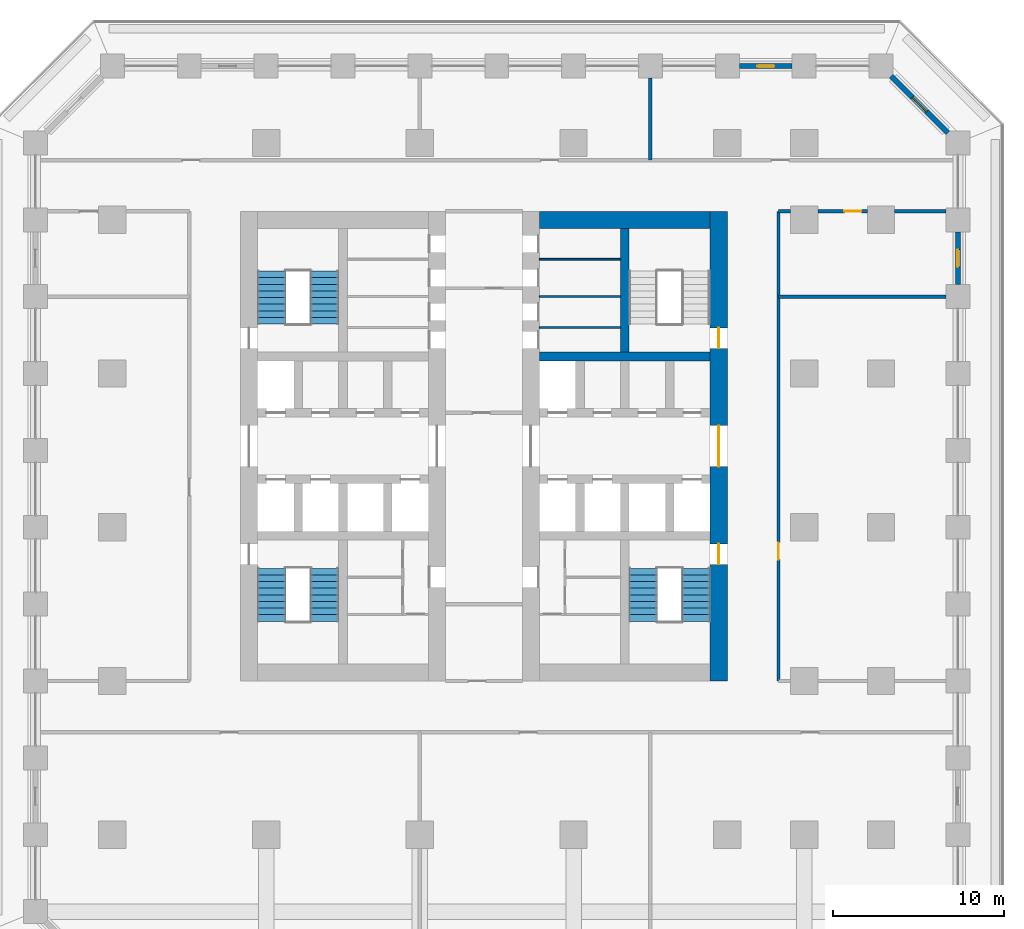
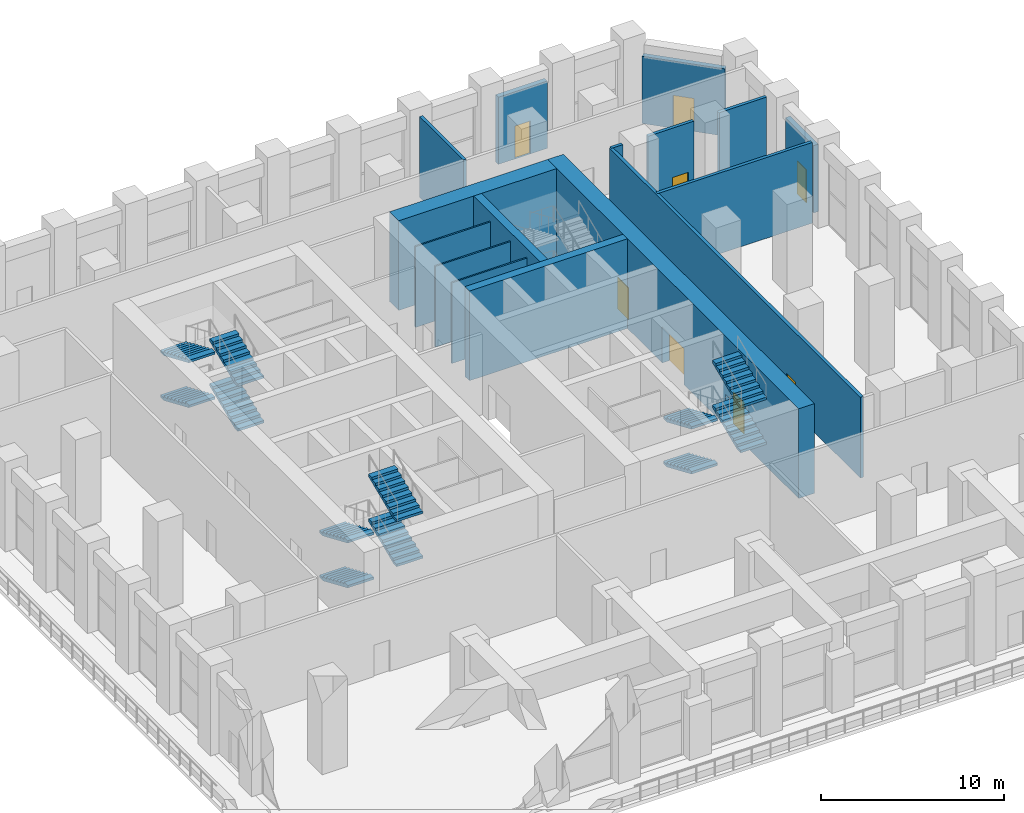
# One storey, part 14 of 19: 16 walls, 12 stair flights, 8 doors, 8 openings, 3 elements without a shape of their own.
"""IFC4 building model written with IfcOpenShell, lengths in metres."""

import ifcopenshell
import ifcopenshell.guid

model = None  # the IFC model being written
_history = None  # IfcOwnerHistory: only IFC2X3 demands one
_inside = {}  # id of a spatial element -> (the spatial element, [elements in it])
_under = {}  # id of a project, library or spatial element -> (it, [spatial elements below it])
_declared = {}  # id of a project -> (the project, [libraries it declares])
_typed = {}  # id of a type object -> (the type object, [elements of that type])
_made_of = {}  # id of a material, layer set ... -> (it, [elements and type objects made of it])


def new_model(schema):
    """Start an empty IFC model of exactly this schema.

    Asked for "IFC4X3", IfcOpenShell would pick the latest addendum, in which some entities
    have other attributes; the version numbers below select the first issue.
    IFC2X3 requires an IfcOwnerHistory on every rooted entity: one is made here for all.
    """
    global model, _history
    if schema == "IFC4X3":
        model = ifcopenshell.file(schema_version=(4, 3, 0, 0))
    else:
        model = ifcopenshell.file(schema=schema)
    _inside.clear()
    _under.clear()
    _declared.clear()
    _typed.clear()
    _made_of.clear()
    _history = None
    if model.schema == "IFC2X3":
        org = make("IfcOrganization", Name="unknown")
        user = make(
            "IfcPersonAndOrganization",
            ThePerson=make("IfcPerson", FamilyName="unknown"),
            TheOrganization=org,
        )
        app = make(
            "IfcApplication",
            ApplicationDeveloper=org,
            Version="unknown",
            ApplicationFullName="unknown",
            ApplicationIdentifier="unknown",
        )
        _history = make(
            "IfcOwnerHistory",
            OwningUser=user,
            OwningApplication=app,
            ChangeAction="ADDED",
            CreationDate=0,
        )
    return model


def make(cls, **values):
    """One entity of the class cls with the attributes given. An attribute that is None is left unset."""
    return model.create_entity(
        cls, **{name: value for name, value in values.items() if value is not None}
    )


def rooted(cls, **values):
    """An entity with a GlobalId (a new one), such as an element, a storey or a relation."""
    return make(cls, GlobalId=ifcopenshell.guid.new(), OwnerHistory=_history, **values)


def si_unit(unit_type, name, prefix=None):
    """IfcSIUnit, for example si_unit("LENGTHUNIT", "METRE", prefix="MILLI")."""
    return make("IfcSIUnit", UnitType=unit_type, Prefix=prefix, Name=name)


def assignment(units):
    """IfcUnitAssignment: the units of a project."""
    return None if units is None else make("IfcUnitAssignment", Units=units)


def point(xyz):
    """IfcCartesianPoint."""
    return None if xyz is None else make("IfcCartesianPoint", Coordinates=xyz)


def direction(xyz):
    """IfcDirection."""
    return None if xyz is None else make("IfcDirection", DirectionRatios=xyz)


def frame(location, z_axis=None, x_axis=None):
    """IfcAxis2Placement3D, a coordinate frame: its origin and axes. An axis left out is left unset."""
    return make(
        "IfcAxis2Placement3D",
        Location=point(location),
        Axis=direction(z_axis),
        RefDirection=direction(x_axis),
    )


def frame_2d(location, x_axis=None):
    """IfcAxis2Placement2D, a coordinate frame in the plane: its origin and x axis."""
    return make(
        "IfcAxis2Placement2D", Location=point(location), RefDirection=direction(x_axis)
    )


def origin():
    """The frame at (0, 0, 0) with its axes left unset."""
    return frame((0.0, 0.0, 0.0))


def place(relative_to, where):
    """IfcLocalPlacement: puts the frame where relative to a parent placement (None: the world)."""
    return make(
        "IfcLocalPlacement", PlacementRelTo=relative_to, RelativePlacement=where
    )


def context(
    kind, dimensions, precision=None, world=None, true_north=None, identifier=None
):
    """IfcGeometricRepresentationContext, for example the 3D "Model" context."""
    return make(
        "IfcGeometricRepresentationContext",
        ContextIdentifier=identifier,
        ContextType=kind,
        CoordinateSpaceDimension=dimensions,
        Precision=precision,
        WorldCoordinateSystem=world,
        TrueNorth=true_north,
    )


def subcontext(parent, identifier, kind, view, scale=None):
    """IfcGeometricRepresentationSubContext, for example "Body" below "Model"."""
    return make(
        "IfcGeometricRepresentationSubContext",
        ContextIdentifier=identifier,
        ContextType=kind,
        ParentContext=parent,
        TargetScale=scale,
        TargetView=view,
    )


def project(units=None, contexts=None):
    """IfcProject with its units and contexts."""
    return rooted(
        "IfcProject",
        Name="project",
        RepresentationContexts=contexts,
        UnitsInContext=assignment(units),
    )


def spatial(cls, under=None, at=None, **own):
    """A site, building, storey or space (cls), placed at a placement, below another one or the project."""
    s = rooted(cls, ObjectPlacement=at, **own)
    if under is not None:
        _under.setdefault(under.id(), (under, []))[1].append(s)
    return s


def polyline(points):
    """IfcPolyline through the points."""
    return make("IfcPolyline", Points=[point(p) for p in points])


def profile(cls, at=None, kind="AREA", **sizes):
    """A parametric profile (cls). Its sizes go by their IFC names, for example OverallWidth=200.0."""
    return make(cls, ProfileType=kind, Position=at, **sizes)


def rectangle(**sizes):
    """IfcRectangleProfileDef."""
    return profile("IfcRectangleProfileDef", **sizes)


def outline(outer, holes=None, kind="AREA"):
    """IfcArbitraryClosedProfileDef: a profile drawn as a closed curve; with holes, ...WithVoids."""
    if holes is None:
        return make("IfcArbitraryClosedProfileDef", ProfileType=kind, OuterCurve=outer)
    return make(
        "IfcArbitraryProfileDefWithVoids",
        ProfileType=kind,
        OuterCurve=outer,
        InnerCurves=holes,
    )


def extrude(swept, where, along, depth):
    """IfcExtrudedAreaSolid: the profile swept, set in the frame where, extruded along a direction by depth."""
    return make(
        "IfcExtrudedAreaSolid",
        SweptArea=swept,
        Position=where,
        ExtrudedDirection=direction(along),
        Depth=depth,
    )


def shape(context_of_items, identifier, shape_type, items):
    """IfcShapeRepresentation: the items that make up one representation, for example the "Body"."""
    return make(
        "IfcShapeRepresentation",
        ContextOfItems=context_of_items,
        RepresentationIdentifier=identifier,
        RepresentationType=shape_type,
        Items=items,
    )


def material(Name=None, Category=None):
    """IfcMaterial."""
    return make("IfcMaterial", Name=Name, Category=Category)


def layer(
    of_material, thickness, ventilated=None, Name=None, Category=None, Priority=None
):
    """IfcMaterialLayer: one layer of a wall or slab, of a material (None: an air gap)."""
    return make(
        "IfcMaterialLayer",
        Material=of_material,
        LayerThickness=thickness,
        IsVentilated=ventilated,
        Name=Name,
        Category=Category,
        Priority=Priority,
    )


def layer_set(layers, Name=None):
    """IfcMaterialLayerSet."""
    return make("IfcMaterialLayerSet", MaterialLayers=layers, LayerSetName=Name)


def made_of(thing, what):
    """Note that an element or type object is made of a material, layer set ...; save() writes the relation."""
    if what is not None:
        _made_of.setdefault(what.id(), (what, []))[1].append(thing)
    return thing


def type_object(cls, material=None, **own):
    """A type object (cls), such as IfcWallType, which elements share."""
    return made_of(rooted(cls, **own), material)


def element(
    cls,
    number,
    at=None,
    inside=None,
    cuts=None,
    type_object=None,
    material=None,
    context=None,
    identifier="Body",
    shape_type=None,
    held_by="IfcProductDefinitionShape",
    body=None,
    shapes=None,
    **own,
):
    """One element of the class cls, such as IfcWall. Its Tag is "e" and its number.

    at: its placement. inside: the storey or other place that contains it. cuts: it is an
    opening in that element (IfcRelVoidsElement). A single representation is given by context,
    identifier, shape_type and body (its items); several are given by shapes. held_by: the class
    of the entity that holds the representations. save() writes the other relations.
    """
    e = rooted(cls, Tag="e%d" % number, ObjectPlacement=at, **own)
    if body is not None:
        shapes = [shape(context, identifier, shape_type, body)]
    if shapes is not None:
        e.Representation = make(held_by, Representations=shapes)
    if inside is not None:
        _inside.setdefault(inside.id(), (inside, []))[1].append(e)
    if cuts is not None:
        rooted(
            "IfcRelVoidsElement", RelatingBuildingElement=cuts, RelatedOpeningElement=e
        )
    if type_object is not None:
        _typed.setdefault(type_object.id(), (type_object, []))[1].append(e)
    return made_of(e, material)


def fill(opening, filler):
    """IfcRelFillsElement: the door or window that sits in an opening."""
    return rooted(
        "IfcRelFillsElement",
        RelatingOpeningElement=opening,
        RelatedBuildingElement=filler,
    )


def aggregate(whole, parts):
    """IfcRelAggregates: a whole, such as a stair, and the parts it consists of."""
    return rooted("IfcRelAggregates", RelatingObject=whole, RelatedObjects=parts)


def save(model, path):
    """Write the relations noted so far, then the file.

    IfcRelAggregates (storeys below a building ...), IfcRelContainedInSpatialStructure (elements
    in a storey), IfcRelDefinesByType, IfcRelAssociatesMaterial and IfcRelDeclares: one each for
    every whole, place, type object, material and project.
    """
    for whole, parts in _under.values():
        aggregate(whole, parts)
    for where, things in _inside.values():
        rooted(
            "IfcRelContainedInSpatialStructure",
            RelatedElements=things,
            RelatingStructure=where,
        )
    for kind, things in _typed.values():
        rooted("IfcRelDefinesByType", RelatedObjects=things, RelatingType=kind)
    for what, things in _made_of.values():
        rooted("IfcRelAssociatesMaterial", RelatedObjects=things, RelatingMaterial=what)
    for by, libraries in _declared.values():
        rooted("IfcRelDeclares", RelatingContext=by, RelatedDefinitions=libraries)
    model.write(path)


model = new_model("IFC4")

# Units and contexts
model_context = context("Model", 3, precision=1e-05, world=origin(), true_north=direction((0.0, 1.0)))
body_context = subcontext(model_context, "Body", "Model", "MODEL_VIEW")
ifc_project = project(units=[si_unit("LENGTHUNIT", "METRE"), si_unit("AREAUNIT", "SQUARE_METRE"), si_unit("VOLUMEUNIT", "CUBIC_METRE"), si_unit("PLANEANGLEUNIT", "RADIAN"), si_unit("MASSUNIT", "GRAM", prefix="KILO")], contexts=[model_context])

# Site, building, storey
site_placement = place(None, origin())
site = spatial("IfcSite", under=ifc_project, at=site_placement, CompositionType="ELEMENT")
building_placement = place(site_placement, origin())
building = spatial("IfcBuilding", under=site, at=building_placement, Name="Corbel Stack Research Tower", CompositionType="ELEMENT")
storey_placement = place(building_placement, frame((0.0, 0.0, 70.60009765625)))
storey = spatial("IfcBuildingStorey", under=building, at=storey_placement, Name="L16", CompositionType="ELEMENT", Elevation=70.60009765625)

# Wall, openings, doors
ifc_material_1 = material(Name="Concrete C70/85", Category="concrete")
ifc_layer_1 = layer(ifc_material_1, 1.0)
ifc_layer_set_1 = layer_set([ifc_layer_1], Name="Concrete C70/85")
wall_type_1 = type_object("IfcWallType", Name="CW-1000-70", PredefinedType="SHEAR", material=ifc_layer_set_1)
wall_1_placement = place(storey_placement, frame((17.5, -9.0, 0.0), z_axis=(0.0, 0.0, 1.0), x_axis=(0.0, 1.0, 0.0)))
wall_1 = element("IfcWall", 1, at=wall_1_placement, inside=storey, type_object=wall_type_1, Name="East core wall, east face L16", PredefinedType="SHEAR", context=body_context, shape_type="SweptSolid", body=[
    extrude(rectangle(XDim=27.5, YDim=1.0, at=frame_2d((13.75, 0.0))), origin(), (0.0, 0.0, 1.0), 6.0),
])
opening_1_placement = place(wall_1_placement, frame((12.550048828125, 0.0, 0.0)))
opening_1 = element("IfcOpeningElement", 2, at=opening_1_placement, cuts=wall_1, Name="Opening CD-E-E", PredefinedType="OPENING", context=body_context, shape_type="SweptSolid", body=[
    extrude(rectangle(XDim=2.39990234375, YDim=2.39990234375, at=frame_2d((1.199951171875, 1.199951171875))), frame((0.0, 0.510009765625, 0.0), z_axis=(0.0, -1.0, 0.0), x_axis=(1.0, 0.0, 0.0)), (0.0, 0.0, 1.0), 1.02001953125),
])
opening_2_placement = place(wall_1_placement, frame((6.824951171875, 0.0, 0.0)))
opening_2 = element("IfcOpeningElement", 3, at=opening_2_placement, cuts=wall_1, Name="Opening SD-ST-E1", PredefinedType="OPENING", context=body_context, shape_type="SweptSolid", body=[
    extrude(rectangle(XDim=1.199951171875, YDim=2.10009765625, at=frame_2d((0.60009765625, 1.050048828125))), frame((0.0, 0.510009765625, 0.0), z_axis=(0.0, -1.0, 0.0), x_axis=(1.0, 0.0, 0.0)), (0.0, 0.0, 1.0), 1.02001953125),
])
opening_3_placement = place(wall_1_placement, frame((19.47509765625, 0.0, 0.0)))
opening_3 = element("IfcOpeningElement", 4, at=opening_3_placement, cuts=wall_1, Name="Opening SD-ST-E2", PredefinedType="OPENING", context=body_context, shape_type="SweptSolid", body=[
    extrude(rectangle(XDim=1.199951171875, YDim=2.10009765625, at=frame_2d((0.60009765625, 1.050048828125))), frame((0.0, 0.510009765625, 0.0), z_axis=(0.0, -1.0, 0.0), x_axis=(1.0, 0.0, 0.0)), (0.0, 0.0, 1.0), 1.02001953125),
])
ifc_material_2 = material(Name="Painted steel fire door", Category="steel")
door_type_1 = type_object("IfcDoorType", Name="Lobby door pair 2400 x 2400 FD30S", OperationType="DOUBLE_DOOR_DOUBLE_SWING", PredefinedType="DOOR", material=ifc_material_2)
door_1_placement = place(opening_1_placement, origin())
door_1 = element("IfcDoor", 5, at=door_1_placement, inside=storey, type_object=door_type_1, Name="Lift lobby door E core E", OperationType="DOUBLE_DOOR_DOUBLE_SWING", OverallHeight=2.39990234375, OverallWidth=2.39990234375, PredefinedType="DOOR", context=body_context, shape_type="SweptSolid", body=[
    extrude(rectangle(XDim=2.39990234375, YDim=2.39990234375, at=frame_2d((1.199951171875, 1.199951171875))), frame((0.0, 0.02490234375, 0.0), z_axis=(0.0, -1.0, 0.0), x_axis=(1.0, 0.0, 0.0)), (0.0, 0.0, 1.0), 0.050048828125),
])
fill(opening_1, door_1)
ifc_material_3 = material(Name="Painted steel fire door", Category="steel")
door_type_2 = type_object("IfcDoorType", Name="Stair door 1200 x 2100 FD90 right hand", OperationType="SINGLE_SWING_RIGHT", PredefinedType="DOOR", material=ifc_material_3)
door_2_placement = place(opening_2_placement, frame((1.199951171875, 0.0, 0.0), z_axis=(0.0, 0.0, 1.0), x_axis=(-1.0, 0.0, 0.0)))
door_2 = element("IfcDoor", 6, at=door_2_placement, inside=storey, type_object=door_type_2, Name="Stair door ST-E1", OperationType="SINGLE_SWING_LEFT", OverallHeight=2.10009765625, OverallWidth=1.199951171875, PredefinedType="DOOR", context=body_context, shape_type="SweptSolid", body=[
    extrude(rectangle(XDim=1.199951171875, YDim=2.10009765625, at=frame_2d((0.60009765625, 1.050048828125))), frame((0.0, 0.02490234375, 0.0), z_axis=(0.0, -1.0, 0.0), x_axis=(1.0, 0.0, 0.0)), (0.0, 0.0, 1.0), 0.050048828125),
])
fill(opening_2, door_2)
door_3_placement = place(opening_3_placement, frame((1.199951171875, 0.0, 0.0), z_axis=(0.0, 0.0, 1.0), x_axis=(-1.0, 0.0, 0.0)))
door_3 = element("IfcDoor", 7, at=door_3_placement, inside=storey, type_object=door_type_2, Name="Stair door ST-E2", OperationType="SINGLE_SWING_LEFT", OverallHeight=2.10009765625, OverallWidth=1.199951171875, PredefinedType="DOOR", context=body_context, shape_type="SweptSolid", body=[
    extrude(rectangle(XDim=1.199951171875, YDim=2.10009765625, at=frame_2d((0.60009765625, 1.050048828125))), frame((0.0, 0.02490234375, 0.0), z_axis=(0.0, -1.0, 0.0), x_axis=(1.0, 0.0, 0.0)), (0.0, 0.0, 1.0), 0.050048828125),
])
fill(opening_3, door_3)

# Walls
wall_2_placement = place(storey_placement, frame((7.0, 18.0, 0.0), z_axis=(0.0, 0.0, 1.0), x_axis=(1.0, 0.0, 0.0)))
element("IfcWall", 8, at=wall_2_placement, inside=storey, type_object=wall_type_1, Name="East core wall, north end L16", PredefinedType="SHEAR", context=body_context, shape_type="SweptSolid", body=[
    extrude(rectangle(XDim=10.0, YDim=1.0, at=frame_2d((5.0, 0.0))), origin(), (0.0, 0.0, 1.0), 6.0),
])
ifc_material_4 = material(Name="Concrete C70/85", Category="concrete")
ifc_layer_2 = layer(ifc_material_4, 0.5)
ifc_layer_set_2 = layer_set([ifc_layer_2], Name="Concrete C70/85")
wall_type_2 = type_object("IfcWallType", Name="CW-500-70", PredefinedType="SHEAR", material=ifc_layer_set_2)
wall_3_placement = place(storey_placement, frame((7.0, 10.0, 0.0), z_axis=(0.0, 0.0, 1.0), x_axis=(1.0, 0.0, 0.0)))
element("IfcWall", 9, at=wall_3_placement, inside=storey, type_object=wall_type_2, Name="East core wall, north row back L16", PredefinedType="SHEAR", context=body_context, shape_type="SweptSolid", body=[
    extrude(rectangle(XDim=10.0, YDim=0.5, at=frame_2d((5.0, 0.0))), origin(), (0.0, 0.0, 1.0), 6.0),
])
wall_4_placement = place(storey_placement, frame((12.0, 10.25, 0.0), z_axis=(0.0, 0.0, 1.0), x_axis=(0.0, 1.0, 0.0)))
element("IfcWall", 10, at=wall_4_placement, inside=storey, type_object=wall_type_2, Name="East core wall, north stair and riser L16", PredefinedType="SHEAR", context=body_context, shape_type="SweptSolid", body=[
    extrude(rectangle(XDim=7.25, YDim=0.5, at=frame_2d((3.625, 0.0))), origin(), (0.0, 0.0, 1.0), 6.0),
])
ifc_material_5 = material(Name="Gypsum board")
ifc_layer_3 = layer(ifc_material_5, 0.10009765625)
ifc_layer_set_3 = layer_set([ifc_layer_3], Name="Gypsum board")
wall_type_3 = type_object("IfcWallType", Name="Core partition 100", PredefinedType="PARTITIONING", material=ifc_layer_set_3)
for number, where, z_axis, x_axis, name in (
    (11, (7.0, 11.699951171875, 0.0), (0.0, 0.0, 1.0), (1.0, 0.0, 0.0), "Core partition E"),
    (12, (7.0, 13.512451171875, 0.0), (0.0, 0.0, 1.0), (1.0, 0.0, 0.0), "Core partition E"),
    (13, (7.0, 15.6875, 0.0), (0.0, 0.0, 1.0), (1.0, 0.0, 0.0), "Core partition E"),
):
    element("IfcWall", number, at=place(storey_placement, frame(where, z_axis=z_axis, x_axis=x_axis)), inside=storey, type_object=wall_type_3, Name=name, PredefinedType="PARTITIONING", context=body_context, shape_type="SweptSolid", body=[
        extrude(rectangle(XDim=4.75, YDim=0.10009765625, at=frame_2d((2.375, 0.0))), origin(), (0.0, 0.0, 1.0), 5.39990234375),
    ])
ifc_material_6 = material(Name="Fire-rated gypsum board partition on steel studs", Category="steel")
ifc_layer_4 = layer(ifc_material_6, 0.199951171875)
ifc_layer_set_4 = layer_set([ifc_layer_4], Name="Fire-rated gypsum board partition on steel studs")
wall_type_4 = type_object("IfcWallType", Name="Fire-rated partition 200 EI 60", PredefinedType="PARTITIONING", material=ifc_layer_set_4)
wall_5_placement = place(storey_placement, frame((13.5, 21.5, 0.0), z_axis=(0.0, 0.0, 1.0), x_axis=(0.0, 1.0, 0.0)))
element("IfcWall", 14, at=wall_5_placement, inside=storey, type_object=wall_type_4, Name="Partition L16-008", PredefinedType="PARTITIONING", context=body_context, shape_type="SweptSolid", body=[
    extrude(rectangle(XDim=4.800048828125, YDim=0.199951171875, at=frame_2d((2.39990234375, 0.0))), origin(), (0.0, 0.0, 1.0), 5.39990234375),
])

# Wall, opening, door
wall_6_placement = place(storey_placement, frame((21.0, 18.5, 0.0), z_axis=(0.0, 0.0, 1.0), x_axis=(0.0, -1.0, 0.0)))
wall_6 = element("IfcWall", 15, at=wall_6_placement, inside=storey, type_object=wall_type_4, Name="Partition L16-009", PredefinedType="PARTITIONING", context=body_context, shape_type="SweptSolid", body=[
    extrude(rectangle(XDim=27.5, YDim=0.199951171875, at=frame_2d((13.75, 0.0))), origin(), (0.0, 0.0, 1.0), 5.39990234375),
])
opening_4_placement = place(wall_6_placement, frame((19.39990234375, 0.0, 0.0)))
opening_4 = element("IfcOpeningElement", 16, at=opening_4_placement, cuts=wall_6, Name="Opening B2AM-010", PredefinedType="OPENING", context=body_context, shape_type="SweptSolid", body=[
    extrude(rectangle(XDim=1.0, YDim=2.10009765625, at=frame_2d((0.5, 1.050048828125))), frame((0.0, 0.10986328125, 0.0), z_axis=(0.0, -1.0, 0.0), x_axis=(1.0, 0.0, 0.0)), (0.0, 0.0, 1.0), 0.219970703125),
])
ifc_material_7 = material(Name="Painted steel fire door", Category="steel")
door_type_3 = type_object("IfcDoorType", Name="Fire door FD30S 1000 x 2100", OperationType="NOTDEFINED", PredefinedType="DOOR", material=ifc_material_7)
door_4_placement = place(opening_4_placement, origin())
door_4 = element("IfcDoor", 17, at=door_4_placement, inside=storey, type_object=door_type_3, Name="Door B2AM-010", OperationType="SINGLE_SWING_RIGHT", OverallHeight=2.10009765625, OverallWidth=1.0, PredefinedType="DOOR", context=body_context, shape_type="SweptSolid", body=[
    extrude(rectangle(XDim=1.0, YDim=2.10009765625, at=frame_2d((0.5, 1.050048828125))), frame((0.0, 0.02490234375, 0.0), z_axis=(0.0, -1.0, 0.0), x_axis=(1.0, 0.0, 0.0)), (0.0, 0.0, 1.0), 0.050048828125),
])
fill(opening_4, door_4)

# Walls
wall_7_placement = place(storey_placement, frame((21.0, 13.5, 0.0), z_axis=(0.0, 0.0, 1.0), x_axis=(1.0, 0.0, 0.0)))
element("IfcWall", 18, at=wall_7_placement, inside=storey, type_object=wall_type_4, Name="Partition L16-020", PredefinedType="PARTITIONING", context=body_context, shape_type="SweptSolid", body=[
    extrude(rectangle(XDim=9.800048828125, YDim=0.199951171875, at=frame_2d((4.89990234375, 0.0))), origin(), (0.0, 0.0, 1.0), 5.39990234375),
])
wall_8_placement = place(storey_placement, frame((21.0, 18.5, 0.0), z_axis=(0.0, 0.0, 1.0), x_axis=(1.0, 0.0, 0.0)))
element("IfcWall", 19, at=wall_8_placement, inside=storey, type_object=wall_type_4, Name="Partition L16-025", PredefinedType="PARTITIONING", context=body_context, shape_type="SweptSolid", body=[
    extrude(rectangle(XDim=0.699951171875, YDim=0.199951171875, at=frame_2d((0.35009765625, 0.0))), origin(), (0.0, 0.0, 1.0), 5.39990234375),
])

# Wall, opening, door
wall_9_placement = place(storey_placement, frame((26.199951171875, 18.5, 0.0), z_axis=(0.0, 0.0, 1.0), x_axis=(-1.0, 0.0, 0.0)))
wall_9 = element("IfcWall", 20, at=wall_9_placement, inside=storey, type_object=wall_type_4, Name="Partition L16-026", PredefinedType="PARTITIONING", context=body_context, shape_type="SweptSolid", body=[
    extrude(rectangle(XDim=2.89990234375, YDim=0.199951171875, at=frame_2d((1.449951171875, 0.0))), origin(), (0.0, 0.0, 1.0), 5.39990234375),
])
opening_5_placement = place(wall_9_placement, frame((0.35009765625, 0.0, 0.0)))
opening_5 = element("IfcOpeningElement", 21, at=opening_5_placement, cuts=wall_9, Name="Opening B2AM-009", PredefinedType="OPENING", context=body_context, shape_type="SweptSolid", body=[
    extrude(rectangle(XDim=1.0, YDim=2.10009765625, at=frame_2d((0.5, 1.050048828125))), frame((0.0, 0.10986328125, 0.0), z_axis=(0.0, -1.0, 0.0), x_axis=(1.0, 0.0, 0.0)), (0.0, 0.0, 1.0), 0.219970703125),
])
door_5_placement = place(opening_5_placement, origin())
door_5 = element("IfcDoor", 22, at=door_5_placement, inside=storey, type_object=door_type_3, Name="Door B2AM-009", OperationType="SINGLE_SWING_LEFT", OverallHeight=2.10009765625, OverallWidth=1.0, PredefinedType="DOOR", context=body_context, shape_type="SweptSolid", body=[
    extrude(rectangle(XDim=1.0, YDim=2.10009765625, at=frame_2d((0.5, 1.050048828125))), frame((0.0, 0.02490234375, 0.0), z_axis=(0.0, -1.0, 0.0), x_axis=(1.0, 0.0, 0.0)), (0.0, 0.0, 1.0), 0.050048828125),
])
fill(opening_5, door_5)

# Wall
wall_10_placement = place(storey_placement, frame((27.800048828125, 18.5, 0.0), z_axis=(0.0, 0.0, 1.0), x_axis=(1.0, 0.0, 0.0)))
element("IfcWall", 23, at=wall_10_placement, inside=storey, type_object=wall_type_4, Name="Partition L16-027", PredefinedType="PARTITIONING", context=body_context, shape_type="SweptSolid", body=[
    extrude(rectangle(XDim=3.0, YDim=0.199951171875, at=frame_2d((1.5, 0.0))), origin(), (0.0, 0.0, 1.0), 5.39990234375),
])

# Wall, opening, door
ifc_material_8 = material(Name="Concrete C45/55", Category="concrete")
ifc_layer_5 = layer(ifc_material_8, 0.300048828125)
ifc_layer_set_5 = layer_set([ifc_layer_5], Name="Concrete C45/55")
wall_type_5 = type_object("IfcWallType", Name="Terracotta-faced concrete wall 300", PredefinedType="SOLIDWALL", material=ifc_layer_set_5)
wall_11_placement = place(storey_placement, frame((31.5, 17.300048828125, 0.0), z_axis=(0.0, 0.0, 1.0), x_axis=(0.0, -1.0, 0.0)))
wall_11 = element("IfcWall", 24, at=wall_11_placement, inside=storey, type_object=wall_type_5, Name="Facade wall L16 E09", PredefinedType="SOLIDWALL", context=body_context, shape_type="SweptSolid", body=[
    extrude(rectangle(XDim=3.10009765625, YDim=0.300048828125, at=frame_2d((1.550048828125, 0.0))), origin(), (0.0, 0.0, 1.0), 4.5),
])
opening_6_placement = place(wall_11_placement, frame((1.050048828125, 0.0, 0.0)))
opening_6 = element("IfcOpeningElement", 25, at=opening_6_placement, cuts=wall_11, Name="Opening L16-B05", PredefinedType="OPENING", context=body_context, shape_type="SweptSolid", body=[
    extrude(rectangle(XDim=1.0, YDim=2.199951171875, at=frame_2d((0.5, 1.10009765625))), frame((0.0, 0.159912109375, 0.0), z_axis=(0.0, -1.0, 0.0), x_axis=(1.0, 0.0, 0.0)), (0.0, 0.0, 1.0), 0.320068359375),
])
ifc_material_9 = material(Name="Aluminium frame, clear double glazing", Category="aluminium")
door_type_4 = type_object("IfcDoorType", Name="Balcony door BD1 1000 x 2200", OperationType="NOTDEFINED", PredefinedType="DOOR", material=ifc_material_9)
door_6_placement = place(opening_6_placement, origin())
door_6 = element("IfcDoor", 26, at=door_6_placement, inside=storey, type_object=door_type_4, Name="Balcony door L16-B05", OperationType="SINGLE_SWING_LEFT", OverallHeight=2.199951171875, OverallWidth=1.0, PredefinedType="DOOR", context=body_context, shape_type="SweptSolid", body=[
    extrude(rectangle(XDim=1.0, YDim=2.199951171875, at=frame_2d((0.5, 1.10009765625))), frame((0.0, 0.02490234375, 0.0), z_axis=(0.0, -1.0, 0.0), x_axis=(1.0, 0.0, 0.0)), (0.0, 0.0, 1.0), 0.050048828125),
])
fill(opening_6, door_6)

wall_12_placement = place(storey_placement, frame((27.593994140625, 26.406005859375, 0.0), z_axis=(0.0, 0.0, 1.0), x_axis=(0.707106781187, -0.707106781187, 0.0)))
wall_12 = element("IfcWall", 27, at=wall_12_placement, inside=storey, type_object=wall_type_5, Name="Facade wall L16 NE01", PredefinedType="SOLIDWALL", context=body_context, shape_type="SweptSolid", body=[
    extrude(rectangle(XDim=4.683837890625, YDim=0.300048828125, at=frame_2d((2.341796875, 0.0))), origin(), (0.0, 0.0, 1.0), 4.5),
])
opening_7_placement = place(wall_12_placement, frame((1.741943359375, 0.0, 0.0)))
opening_7 = element("IfcOpeningElement", 28, at=opening_7_placement, cuts=wall_12, Name="Opening L16-B06", PredefinedType="OPENING", context=body_context, shape_type="SweptSolid", body=[
    extrude(rectangle(XDim=1.199951171875, YDim=2.199951171875, at=frame_2d((0.60009765625, 1.10009765625))), frame((0.0, 0.159912109375, 0.0), z_axis=(0.0, -1.0, 0.0), x_axis=(1.0, 0.0, 0.0)), (0.0, 0.0, 1.0), 0.320068359375),
])
ifc_material_10 = material(Name="Aluminium frame, clear double glazing", Category="aluminium")
door_type_5 = type_object("IfcDoorType", Name="Balcony door BD2 1200 x 2200", OperationType="NOTDEFINED", PredefinedType="DOOR", material=ifc_material_10)
door_7_placement = place(opening_7_placement, origin())
door_7 = element("IfcDoor", 29, at=door_7_placement, inside=storey, type_object=door_type_5, Name="Balcony door L16-B06", OperationType="SINGLE_SWING_LEFT", OverallHeight=2.199951171875, OverallWidth=1.199951171875, PredefinedType="DOOR", context=body_context, shape_type="SweptSolid", body=[
    extrude(rectangle(XDim=1.199951171875, YDim=2.199951171875, at=frame_2d((0.60009765625, 1.10009765625))), frame((0.0, 0.02490234375, 0.0), z_axis=(0.0, -1.0, 0.0), x_axis=(1.0, 0.0, 0.0)), (0.0, 0.0, 1.0), 0.050048828125),
])
fill(opening_7, door_7)

wall_13_placement = place(storey_placement, frame((18.699951171875, 27.0, 0.0), z_axis=(0.0, 0.0, 1.0), x_axis=(1.0, 0.0, 0.0)))
wall_13 = element("IfcWall", 30, at=wall_13_placement, inside=storey, type_object=wall_type_5, Name="Facade wall L16 N02", PredefinedType="SOLIDWALL", context=body_context, shape_type="SweptSolid", body=[
    extrude(rectangle(XDim=3.10009765625, YDim=0.300048828125, at=frame_2d((1.550048828125, 0.0))), origin(), (0.0, 0.0, 1.0), 4.5),
])
opening_8_placement = place(wall_13_placement, frame((1.050048828125, 0.0, 0.0)))
opening_8 = element("IfcOpeningElement", 31, at=opening_8_placement, cuts=wall_13, Name="Opening L16-B07", PredefinedType="OPENING", context=body_context, shape_type="SweptSolid", body=[
    extrude(rectangle(XDim=1.0, YDim=2.199951171875, at=frame_2d((0.5, 1.10009765625))), frame((0.0, 0.159912109375, 0.0), z_axis=(0.0, -1.0, 0.0), x_axis=(1.0, 0.0, 0.0)), (0.0, 0.0, 1.0), 0.320068359375),
])
door_8_placement = place(opening_8_placement, origin())
door_8 = element("IfcDoor", 32, at=door_8_placement, inside=storey, type_object=door_type_4, Name="Balcony door L16-B07", OperationType="SINGLE_SWING_RIGHT", OverallHeight=2.199951171875, OverallWidth=1.0, PredefinedType="DOOR", context=body_context, shape_type="SweptSolid", body=[
    extrude(rectangle(XDim=1.0, YDim=2.199951171875, at=frame_2d((0.5, 1.10009765625))), frame((0.0, 0.02490234375, 0.0), z_axis=(0.0, -1.0, 0.0), x_axis=(1.0, 0.0, 0.0)), (0.0, 0.0, 1.0), 0.050048828125),
])
fill(opening_8, door_8)

# Stair, stair flights
ifc_material_11 = material(Name="Concrete C40/50", Category="concrete")
stair_type = type_object("IfcStairType", Name="Exit stair 36 risers, 388 going", PredefinedType="HALF_TURN_STAIR", material=ifc_material_11)
stair_1_placement = place(storey_placement, origin())
stair_1 = element("IfcStair", 33, at=stair_1_placement, inside=storey, type_object=stair_type, Name="L16 Exit stair ST-W1", PredefinedType="HALF_TURN_STAIR")
ifc_material_12 = material(Name="Concrete C40/50", Category="concrete")
stair_flight_type = type_object("IfcStairFlightType", Name="Stair flight 9 risers, 388 going", PredefinedType="STRAIGHT", material=ifc_material_12)
stair_flight_1_placement = place(storey_placement, frame((-8.675048828125, -2.39990234375, 0.0), z_axis=(0.0, 0.0, 1.0), x_axis=(0.0, -1.0, 0.0)))
stair_flight_1 = element("IfcStairFlight", 34, at=stair_flight_1_placement, type_object=stair_flight_type, Name="ST-W1 flight 1", NumberOfRisers=9, NumberOfTreads=8, PredefinedType="STRAIGHT", RiserHeight=0.166666667, TreadLength=0.388, context=body_context, shape_type="SweptSolid", body=[
    extrude(outline(polyline([(0.0, 0.0), (0.0, 0.166748046875), (0.387939453125, 0.166748046875), (0.387939453125, 0.333251953125), (0.77587890625, 0.333251953125), (0.77587890625, 0.5), (1.1640625, 0.5), (1.1640625, 0.666748046875), (1.552001953125, 0.666748046875), (1.552001953125, 0.833251953125), (1.93994140625, 0.833251953125), (1.93994140625, 1.0), (2.327880859375, 1.0), (2.327880859375, 1.166748046875), (2.716064453125, 1.166748046875), (2.716064453125, 1.333251953125), (3.10400390625, 1.333251953125), (3.10400390625, 1.5), (3.10400390625, 1.170166015625), (0.3798828125, 0.0), (0.0, 0.0)])), frame((0.0, 0.824951171875, 0.0), z_axis=(0.0, -1.0, 0.0), x_axis=(1.0, 0.0, 0.0)), (0.0, 0.0, 1.0), 1.64990234375),
])
stair_flight_2_placement = place(storey_placement, frame((-5.574951171875, -5.50390625, 1.5), z_axis=(0.0, 0.0, 1.0), x_axis=(0.0, 1.0, 0.0)))
stair_flight_2 = element("IfcStairFlight", 35, at=stair_flight_2_placement, type_object=stair_flight_type, Name="ST-W1 flight 2", NumberOfRisers=9, NumberOfTreads=8, PredefinedType="STRAIGHT", RiserHeight=0.166666667, TreadLength=0.388, context=body_context, shape_type="SweptSolid", body=[
    extrude(outline(polyline([(0.0, 0.0), (0.0, 0.166748046875), (0.387939453125, 0.166748046875), (0.387939453125, 0.333251953125), (0.77587890625, 0.333251953125), (0.77587890625, 0.5), (1.1640625, 0.5), (1.1640625, 0.666748046875), (1.552001953125, 0.666748046875), (1.552001953125, 0.833251953125), (1.93994140625, 0.833251953125), (1.93994140625, 1.0), (2.327880859375, 1.0), (2.327880859375, 1.166748046875), (2.716064453125, 1.166748046875), (2.716064453125, 1.333251953125), (3.10400390625, 1.333251953125), (3.10400390625, 1.5), (3.10400390625, 1.170166015625), (0.3798828125, 0.0), (0.0, 0.0)])), frame((0.0, 0.824951171875, 0.0), z_axis=(0.0, -1.0, 0.0), x_axis=(1.0, 0.0, 0.0)), (0.0, 0.0, 1.0), 1.64990234375),
])
stair_flight_3_placement = place(storey_placement, frame((-8.675048828125, -2.39990234375, 3.0), z_axis=(0.0, 0.0, 1.0), x_axis=(0.0, -1.0, 0.0)))
stair_flight_3 = element("IfcStairFlight", 36, at=stair_flight_3_placement, type_object=stair_flight_type, Name="ST-W1 flight 3", NumberOfRisers=9, NumberOfTreads=8, PredefinedType="STRAIGHT", RiserHeight=0.166666667, TreadLength=0.388, context=body_context, shape_type="SweptSolid", body=[
    extrude(outline(polyline([(0.0, 0.0), (0.0, 0.166748046875), (0.387939453125, 0.166748046875), (0.387939453125, 0.333251953125), (0.77587890625, 0.333251953125), (0.77587890625, 0.5), (1.1640625, 0.5), (1.1640625, 0.666748046875), (1.552001953125, 0.666748046875), (1.552001953125, 0.833251953125), (1.93994140625, 0.833251953125), (1.93994140625, 1.0), (2.327880859375, 1.0), (2.327880859375, 1.166748046875), (2.716064453125, 1.166748046875), (2.716064453125, 1.333251953125), (3.10400390625, 1.333251953125), (3.10400390625, 1.5), (3.10400390625, 1.170166015625), (0.3798828125, 0.0), (0.0, 0.0)])), frame((0.0, 0.824951171875, 0.0), z_axis=(0.0, -1.0, 0.0), x_axis=(1.0, 0.0, 0.0)), (0.0, 0.0, 1.0), 1.64990234375),
])
stair_flight_4_placement = place(storey_placement, frame((-5.574951171875, -5.50390625, 4.5), z_axis=(0.0, 0.0, 1.0), x_axis=(0.0, 1.0, 0.0)))
stair_flight_4 = element("IfcStairFlight", 37, at=stair_flight_4_placement, type_object=stair_flight_type, Name="ST-W1 flight 4", NumberOfRisers=9, NumberOfTreads=8, PredefinedType="STRAIGHT", RiserHeight=0.166666667, TreadLength=0.388, context=body_context, shape_type="SweptSolid", body=[
    extrude(outline(polyline([(0.0, 0.0), (0.0, 0.166748046875), (0.387939453125, 0.166748046875), (0.387939453125, 0.333251953125), (0.77587890625, 0.333251953125), (0.77587890625, 0.5), (1.1640625, 0.5), (1.1640625, 0.666748046875), (1.552001953125, 0.666748046875), (1.552001953125, 0.833251953125), (1.93994140625, 0.833251953125), (1.93994140625, 1.0), (2.327880859375, 1.0), (2.327880859375, 1.166748046875), (2.716064453125, 1.166748046875), (2.716064453125, 1.333251953125), (3.10400390625, 1.333251953125), (3.10400390625, 1.5), (3.10400390625, 1.170166015625), (0.3798828125, 0.0), (0.0, 0.0)])), frame((0.0, 0.824951171875, 0.0), z_axis=(0.0, -1.0, 0.0), x_axis=(1.0, 0.0, 0.0)), (0.0, 0.0, 1.0), 1.64990234375),
])
aggregate(stair_1, [stair_flight_1, stair_flight_2, stair_flight_3, stair_flight_4])

stair_2_placement = place(storey_placement, origin())
stair_2 = element("IfcStair", 38, at=stair_2_placement, inside=storey, type_object=stair_type, Name="L16 Exit stair ST-W2", PredefinedType="HALF_TURN_STAIR")
stair_flight_5_placement = place(storey_placement, frame((-5.574951171875, 11.89990234375, 0.0), z_axis=(0.0, 0.0, 1.0), x_axis=(0.0, 1.0, 0.0)))
stair_flight_5 = element("IfcStairFlight", 39, at=stair_flight_5_placement, type_object=stair_flight_type, Name="ST-W2 flight 1", NumberOfRisers=9, NumberOfTreads=8, PredefinedType="STRAIGHT", RiserHeight=0.166666667, TreadLength=0.388, context=body_context, shape_type="SweptSolid", body=[
    extrude(outline(polyline([(0.0, 0.0), (0.0, 0.166748046875), (0.387939453125, 0.166748046875), (0.387939453125, 0.333251953125), (0.77587890625, 0.333251953125), (0.77587890625, 0.5), (1.1640625, 0.5), (1.1640625, 0.666748046875), (1.552001953125, 0.666748046875), (1.552001953125, 0.833251953125), (1.93994140625, 0.833251953125), (1.93994140625, 1.0), (2.327880859375, 1.0), (2.327880859375, 1.166748046875), (2.716064453125, 1.166748046875), (2.716064453125, 1.333251953125), (3.10400390625, 1.333251953125), (3.10400390625, 1.5), (3.10400390625, 1.170166015625), (0.3798828125, 0.0), (0.0, 0.0)])), frame((0.0, 0.824951171875, 0.0), z_axis=(0.0, -1.0, 0.0), x_axis=(1.0, 0.0, 0.0)), (0.0, 0.0, 1.0), 1.64990234375),
])
stair_flight_6_placement = place(storey_placement, frame((-8.675048828125, 15.00390625, 1.5), z_axis=(0.0, 0.0, 1.0), x_axis=(0.0, -1.0, 0.0)))
stair_flight_6 = element("IfcStairFlight", 40, at=stair_flight_6_placement, type_object=stair_flight_type, Name="ST-W2 flight 2", NumberOfRisers=9, NumberOfTreads=8, PredefinedType="STRAIGHT", RiserHeight=0.166666667, TreadLength=0.388, context=body_context, shape_type="SweptSolid", body=[
    extrude(outline(polyline([(0.0, 0.0), (0.0, 0.166748046875), (0.387939453125, 0.166748046875), (0.387939453125, 0.333251953125), (0.77587890625, 0.333251953125), (0.77587890625, 0.5), (1.1640625, 0.5), (1.1640625, 0.666748046875), (1.552001953125, 0.666748046875), (1.552001953125, 0.833251953125), (1.93994140625, 0.833251953125), (1.93994140625, 1.0), (2.327880859375, 1.0), (2.327880859375, 1.166748046875), (2.716064453125, 1.166748046875), (2.716064453125, 1.333251953125), (3.10400390625, 1.333251953125), (3.10400390625, 1.5), (3.10400390625, 1.170166015625), (0.3798828125, 0.0), (0.0, 0.0)])), frame((0.0, 0.824951171875, 0.0), z_axis=(0.0, -1.0, 0.0), x_axis=(1.0, 0.0, 0.0)), (0.0, 0.0, 1.0), 1.64990234375),
])
stair_flight_7_placement = place(storey_placement, frame((-5.574951171875, 11.89990234375, 3.0), z_axis=(0.0, 0.0, 1.0), x_axis=(0.0, 1.0, 0.0)))
stair_flight_7 = element("IfcStairFlight", 41, at=stair_flight_7_placement, type_object=stair_flight_type, Name="ST-W2 flight 3", NumberOfRisers=9, NumberOfTreads=8, PredefinedType="STRAIGHT", RiserHeight=0.166666667, TreadLength=0.388, context=body_context, shape_type="SweptSolid", body=[
    extrude(outline(polyline([(0.0, 0.0), (0.0, 0.166748046875), (0.387939453125, 0.166748046875), (0.387939453125, 0.333251953125), (0.77587890625, 0.333251953125), (0.77587890625, 0.5), (1.1640625, 0.5), (1.1640625, 0.666748046875), (1.552001953125, 0.666748046875), (1.552001953125, 0.833251953125), (1.93994140625, 0.833251953125), (1.93994140625, 1.0), (2.327880859375, 1.0), (2.327880859375, 1.166748046875), (2.716064453125, 1.166748046875), (2.716064453125, 1.333251953125), (3.10400390625, 1.333251953125), (3.10400390625, 1.5), (3.10400390625, 1.170166015625), (0.3798828125, 0.0), (0.0, 0.0)])), frame((0.0, 0.824951171875, 0.0), z_axis=(0.0, -1.0, 0.0), x_axis=(1.0, 0.0, 0.0)), (0.0, 0.0, 1.0), 1.64990234375),
])
stair_flight_8_placement = place(storey_placement, frame((-8.675048828125, 15.00390625, 4.5), z_axis=(0.0, 0.0, 1.0), x_axis=(0.0, -1.0, 0.0)))
stair_flight_8 = element("IfcStairFlight", 42, at=stair_flight_8_placement, type_object=stair_flight_type, Name="ST-W2 flight 4", NumberOfRisers=9, NumberOfTreads=8, PredefinedType="STRAIGHT", RiserHeight=0.166666667, TreadLength=0.388, context=body_context, shape_type="SweptSolid", body=[
    extrude(outline(polyline([(0.0, 0.0), (0.0, 0.166748046875), (0.387939453125, 0.166748046875), (0.387939453125, 0.333251953125), (0.77587890625, 0.333251953125), (0.77587890625, 0.5), (1.1640625, 0.5), (1.1640625, 0.666748046875), (1.552001953125, 0.666748046875), (1.552001953125, 0.833251953125), (1.93994140625, 0.833251953125), (1.93994140625, 1.0), (2.327880859375, 1.0), (2.327880859375, 1.166748046875), (2.716064453125, 1.166748046875), (2.716064453125, 1.333251953125), (3.10400390625, 1.333251953125), (3.10400390625, 1.5), (3.10400390625, 1.170166015625), (0.3798828125, 0.0), (0.0, 0.0)])), frame((0.0, 0.824951171875, 0.0), z_axis=(0.0, -1.0, 0.0), x_axis=(1.0, 0.0, 0.0)), (0.0, 0.0, 1.0), 1.64990234375),
])
aggregate(stair_2, [stair_flight_5, stair_flight_6, stair_flight_7, stair_flight_8])

stair_3_placement = place(storey_placement, origin())
stair_3 = element("IfcStair", 43, at=stair_3_placement, inside=storey, type_object=stair_type, Name="L16 Exit stair ST-E1", PredefinedType="HALF_TURN_STAIR")
stair_flight_9_placement = place(storey_placement, frame((13.074951171875, -2.39990234375, 0.0), z_axis=(0.0, 0.0, 1.0), x_axis=(0.0, -1.0, 0.0)))
stair_flight_9 = element("IfcStairFlight", 44, at=stair_flight_9_placement, type_object=stair_flight_type, Name="ST-E1 flight 1", NumberOfRisers=9, NumberOfTreads=8, PredefinedType="STRAIGHT", RiserHeight=0.166666667, TreadLength=0.388, context=body_context, shape_type="SweptSolid", body=[
    extrude(outline(polyline([(0.0, 0.0), (0.0, 0.166748046875), (0.387939453125, 0.166748046875), (0.387939453125, 0.333251953125), (0.77587890625, 0.333251953125), (0.77587890625, 0.5), (1.1640625, 0.5), (1.1640625, 0.666748046875), (1.552001953125, 0.666748046875), (1.552001953125, 0.833251953125), (1.93994140625, 0.833251953125), (1.93994140625, 1.0), (2.327880859375, 1.0), (2.327880859375, 1.166748046875), (2.716064453125, 1.166748046875), (2.716064453125, 1.333251953125), (3.10400390625, 1.333251953125), (3.10400390625, 1.5), (3.10400390625, 1.170166015625), (0.3798828125, 0.0), (0.0, 0.0)])), frame((0.0, 0.824951171875, 0.0), z_axis=(0.0, -1.0, 0.0), x_axis=(1.0, 0.0, 0.0)), (0.0, 0.0, 1.0), 1.64990234375),
])
stair_flight_10_placement = place(storey_placement, frame((16.175048828125, -5.50390625, 1.5), z_axis=(0.0, 0.0, 1.0), x_axis=(0.0, 1.0, 0.0)))
stair_flight_10 = element("IfcStairFlight", 45, at=stair_flight_10_placement, type_object=stair_flight_type, Name="ST-E1 flight 2", NumberOfRisers=9, NumberOfTreads=8, PredefinedType="STRAIGHT", RiserHeight=0.166666667, TreadLength=0.388, context=body_context, shape_type="SweptSolid", body=[
    extrude(outline(polyline([(0.0, 0.0), (0.0, 0.166748046875), (0.387939453125, 0.166748046875), (0.387939453125, 0.333251953125), (0.77587890625, 0.333251953125), (0.77587890625, 0.5), (1.1640625, 0.5), (1.1640625, 0.666748046875), (1.552001953125, 0.666748046875), (1.552001953125, 0.833251953125), (1.93994140625, 0.833251953125), (1.93994140625, 1.0), (2.327880859375, 1.0), (2.327880859375, 1.166748046875), (2.716064453125, 1.166748046875), (2.716064453125, 1.333251953125), (3.10400390625, 1.333251953125), (3.10400390625, 1.5), (3.10400390625, 1.170166015625), (0.3798828125, 0.0), (0.0, 0.0)])), frame((0.0, 0.824951171875, 0.0), z_axis=(0.0, -1.0, 0.0), x_axis=(1.0, 0.0, 0.0)), (0.0, 0.0, 1.0), 1.64990234375),
])
stair_flight_11_placement = place(storey_placement, frame((13.074951171875, -2.39990234375, 3.0), z_axis=(0.0, 0.0, 1.0), x_axis=(0.0, -1.0, 0.0)))
stair_flight_11 = element("IfcStairFlight", 46, at=stair_flight_11_placement, type_object=stair_flight_type, Name="ST-E1 flight 3", NumberOfRisers=9, NumberOfTreads=8, PredefinedType="STRAIGHT", RiserHeight=0.166666667, TreadLength=0.388, context=body_context, shape_type="SweptSolid", body=[
    extrude(outline(polyline([(0.0, 0.0), (0.0, 0.166748046875), (0.387939453125, 0.166748046875), (0.387939453125, 0.333251953125), (0.77587890625, 0.333251953125), (0.77587890625, 0.5), (1.1640625, 0.5), (1.1640625, 0.666748046875), (1.552001953125, 0.666748046875), (1.552001953125, 0.833251953125), (1.93994140625, 0.833251953125), (1.93994140625, 1.0), (2.327880859375, 1.0), (2.327880859375, 1.166748046875), (2.716064453125, 1.166748046875), (2.716064453125, 1.333251953125), (3.10400390625, 1.333251953125), (3.10400390625, 1.5), (3.10400390625, 1.170166015625), (0.3798828125, 0.0), (0.0, 0.0)])), frame((0.0, 0.824951171875, 0.0), z_axis=(0.0, -1.0, 0.0), x_axis=(1.0, 0.0, 0.0)), (0.0, 0.0, 1.0), 1.64990234375),
])
stair_flight_12_placement = place(storey_placement, frame((16.175048828125, -5.50390625, 4.5), z_axis=(0.0, 0.0, 1.0), x_axis=(0.0, 1.0, 0.0)))
stair_flight_12 = element("IfcStairFlight", 47, at=stair_flight_12_placement, type_object=stair_flight_type, Name="ST-E1 flight 4", NumberOfRisers=9, NumberOfTreads=8, PredefinedType="STRAIGHT", RiserHeight=0.166666667, TreadLength=0.388, context=body_context, shape_type="SweptSolid", body=[
    extrude(outline(polyline([(0.0, 0.0), (0.0, 0.166748046875), (0.387939453125, 0.166748046875), (0.387939453125, 0.333251953125), (0.77587890625, 0.333251953125), (0.77587890625, 0.5), (1.1640625, 0.5), (1.1640625, 0.666748046875), (1.552001953125, 0.666748046875), (1.552001953125, 0.833251953125), (1.93994140625, 0.833251953125), (1.93994140625, 1.0), (2.327880859375, 1.0), (2.327880859375, 1.166748046875), (2.716064453125, 1.166748046875), (2.716064453125, 1.333251953125), (3.10400390625, 1.333251953125), (3.10400390625, 1.5), (3.10400390625, 1.170166015625), (0.3798828125, 0.0), (0.0, 0.0)])), frame((0.0, 0.824951171875, 0.0), z_axis=(0.0, -1.0, 0.0), x_axis=(1.0, 0.0, 0.0)), (0.0, 0.0, 1.0), 1.64990234375),
])
aggregate(stair_3, [stair_flight_9, stair_flight_10, stair_flight_11, stair_flight_12])

save(model, "model.ifc")
